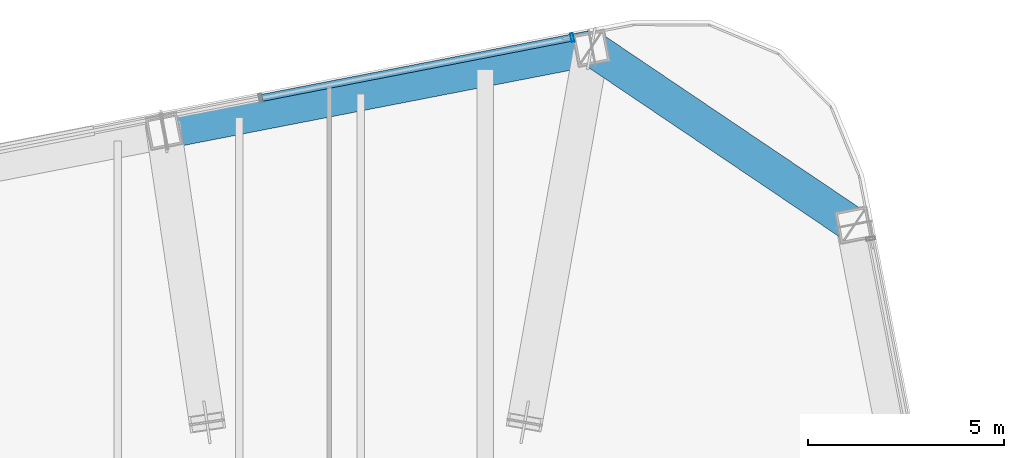
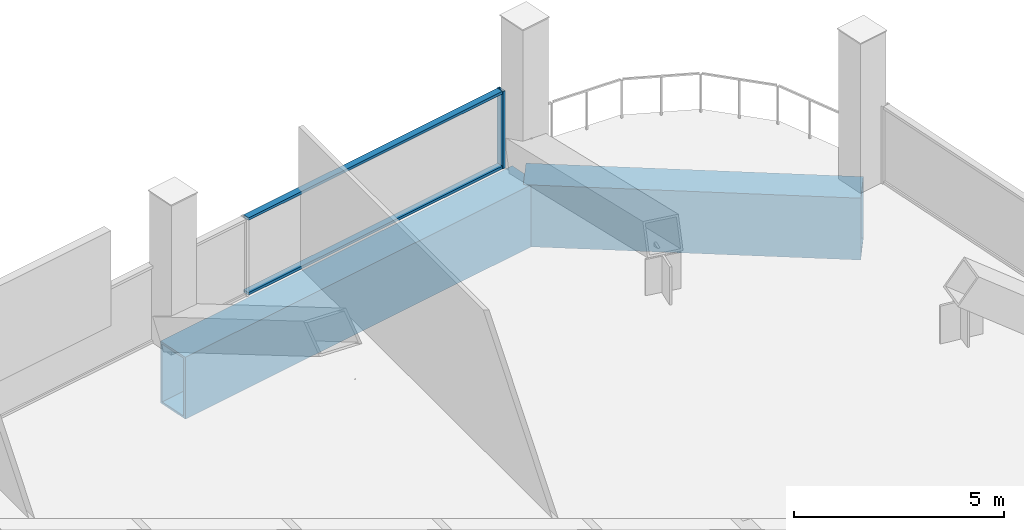
# One storey, part 17 of 26: 3 members, 2 beams, 1 element without a shape of its own.
"""IFC4 building model written with IfcOpenShell, lengths in metres."""

from ifc_helpers import new_model, si_unit, direction, frame, origin, origin_2d, place, context, subcontext, project, spatial, hollow_rectangle, extrude, material, layer, layer_set, material_profile, profile_set, type_object, element, aggregate, save


model = new_model("IFC4")

# Units and contexts
model_context = context("Model", 3, precision=1e-05, world=origin(), true_north=direction((0.0, 1.0)))
body_context = subcontext(model_context, "Body", "Model", "MODEL_VIEW")
ifc_project = project(units=[si_unit("LENGTHUNIT", "METRE"), si_unit("AREAUNIT", "SQUARE_METRE"), si_unit("VOLUMEUNIT", "CUBIC_METRE"), si_unit("PLANEANGLEUNIT", "RADIAN"), si_unit("MASSUNIT", "GRAM", prefix="KILO")], contexts=[model_context])

# Site, building, storey
site_placement = place(None, origin())
site = spatial("IfcSite", under=ifc_project, at=site_placement, CompositionType="ELEMENT")
building_placement = place(site_placement, origin())
building = spatial("IfcBuilding", under=site, at=building_placement, Name="Qhalaya Broadcast Tower", CompositionType="ELEMENT")
storey_placement = place(building_placement, frame((0.0, 0.0, 140.25)))
storey = spatial("IfcBuildingStorey", under=building, at=storey_placement, Name="L41", CompositionType="ELEMENT", Elevation=140.25)

# Beams
ifc_material_1 = material(Name="Structural Steel ASTM A572 Grade 50", Category="steel")
ifc_material_profile_1 = material_profile(ifc_material_1, hollow_rectangle(XDim=0.89990234375, YDim=1.800048828125, WallThickness=0.06005859375, at=origin_2d()), Name="BOX 900x1800x60")
ifc_profile_set_1 = profile_set([ifc_material_profile_1], Name="Structural Steel ASTM A572 Grade 50")
beam_type = type_object("IfcBeamType", Name="Block Cantilever Transfer Box Girder TG1", PredefinedType="USERDEFINED", material=ifc_profile_set_1)
beam_1_placement = place(storey_placement, frame((18.762451171875, 27.688720703125, -1.1201171875), z_axis=(-0.829042088473, 0.559186208288, 0.0), x_axis=(-0.559186208288, -0.829042088473, 0.0)))
element("IfcBeam", 1, at=beam_1_placement, inside=storey, type_object=beam_type, Name="L41 TG1 L41-SPR-08", ObjectType="GIRDER", PredefinedType="USERDEFINED", context=body_context, shape_type="SweptSolid", body=[
    extrude(hollow_rectangle(XDim=0.89990234375, YDim=1.800048828125, WallThickness=0.06005859375, at=origin_2d()), origin(), (0.0, 0.0, 1.0), 8.06103515625),
])
beam_2_placement = place(storey_placement, frame((12.07958984375, 32.1962890625, -1.1201171875), z_axis=(-0.98162878008, -0.190800781233, 0.0), x_axis=(0.190800781233, -0.98162878008, 0.0)))
element("IfcBeam", 2, at=beam_2_placement, inside=storey, type_object=beam_type, Name="L41 TG1 L41-SPR-09", ObjectType="GIRDER", PredefinedType="USERDEFINED", context=body_context, shape_type="SweptSolid", body=[
    extrude(hollow_rectangle(XDim=0.89990234375, YDim=1.800048828125, WallThickness=0.06005859375, at=origin_2d()), origin(), (0.0, 0.0, 1.0), 11.10009765625),
])

# Curtain wall, members
ifc_material_2 = material(Name="Fired Architectural Terracotta", Category="masonry")
ifc_layer = layer(ifc_material_2, 0.219970703125, Name="Fired Architectural Terracotta")
ifc_layer_set = layer_set([ifc_layer], Name="Fired Architectural Terracotta")
curtain_wall_type = type_object("IfcCurtainWallType", Name="Block-Cap Unitised Terracotta Spandrel Wall CW-07", PredefinedType="NOTDEFINED", material=ifc_layer_set)
curtain_wall_placement = place(storey_placement, origin())
curtain_wall = element("IfcCurtainWall", 3, at=curtain_wall_placement, inside=storey, type_object=curtain_wall_type, Name="L41 Unitised Curtain Wall L41-CW-N", PredefinedType="NOTDEFINED")
ifc_material_3 = material(Name="Anodised Aluminium 6063-T6", Category="aluminium")
ifc_material_profile_2 = material_profile(ifc_material_3, hollow_rectangle(XDim=0.074951171875, YDim=0.219970703125, WallThickness=0.00390625, at=origin_2d()), Name="ALU-MUL 75x220x4")
ifc_profile_set_2 = profile_set([ifc_material_profile_2], Name="Anodised Aluminium 6063-T6")
member_type_1 = type_object("IfcMemberType", Name="Unitised Curtain-Wall Mullion M01", PredefinedType="MULLION", material=ifc_profile_set_2)
member_1_placement = place(storey_placement, frame((11.593017578125, 32.468505859375, 0.0), z_axis=(0.0, 0.0, 1.0), x_axis=(0.981626973255, 0.190810076719, 0.0)))
member_1 = element("IfcMember", 4, at=member_1_placement, type_object=member_type_1, Name="CW-07 mullion 5", PredefinedType="MULLION", context=body_context, shape_type="SweptSolid", body=[
    extrude(hollow_rectangle(XDim=0.074951171875, YDim=0.219970703125, WallThickness=0.00390625, at=origin_2d()), origin(), (0.0, 0.0, 1.0), 2.25),
])
ifc_material_profile_3 = material_profile(ifc_material_3, hollow_rectangle(XDim=0.074951171875, YDim=0.179931640625, WallThickness=0.00390625, at=origin_2d()), Name="ALU-TRN 75x180x4")
ifc_profile_set_3 = profile_set([ifc_material_profile_3], Name="Anodised Aluminium 6063-T6")
member_type_2 = type_object("IfcMemberType", Name="Unitised Curtain-Wall Transom T01", PredefinedType="USERDEFINED", material=ifc_profile_set_3)
member_2_placement = place(storey_placement, frame((3.68505859375, 30.931396484375, 0.03759765625), z_axis=(0.981627272108, 0.190808539261, 0.0), x_axis=(0.0, 0.0, 1.0)))
member_2 = element("IfcMember", 5, at=member_2_placement, type_object=member_type_2, Name="CW-07 transom 4.1", ObjectType="TRANSOM", PredefinedType="USERDEFINED", context=body_context, shape_type="SweptSolid", body=[
    extrude(hollow_rectangle(XDim=0.074951171875, YDim=0.179931640625, WallThickness=0.00390625, at=origin_2d()), origin(), (0.0, 0.0, 1.0), 8.0185546875),
])
member_3_placement = place(storey_placement, frame((3.68505859375, 30.931396484375, 2.21240234375), z_axis=(0.981627272108, 0.190808539261, 0.0), x_axis=(0.0, 0.0, 1.0)))
member_3 = element("IfcMember", 6, at=member_3_placement, type_object=member_type_2, Name="CW-07 transom 4.2", ObjectType="TRANSOM", PredefinedType="USERDEFINED", context=body_context, shape_type="SweptSolid", body=[
    extrude(hollow_rectangle(XDim=0.074951171875, YDim=0.179931640625, WallThickness=0.00390625, at=origin_2d()), origin(), (0.0, 0.0, 1.0), 8.0185546875),
])
aggregate(curtain_wall, [member_1, member_2, member_3])

save(model, "model.ifc")
